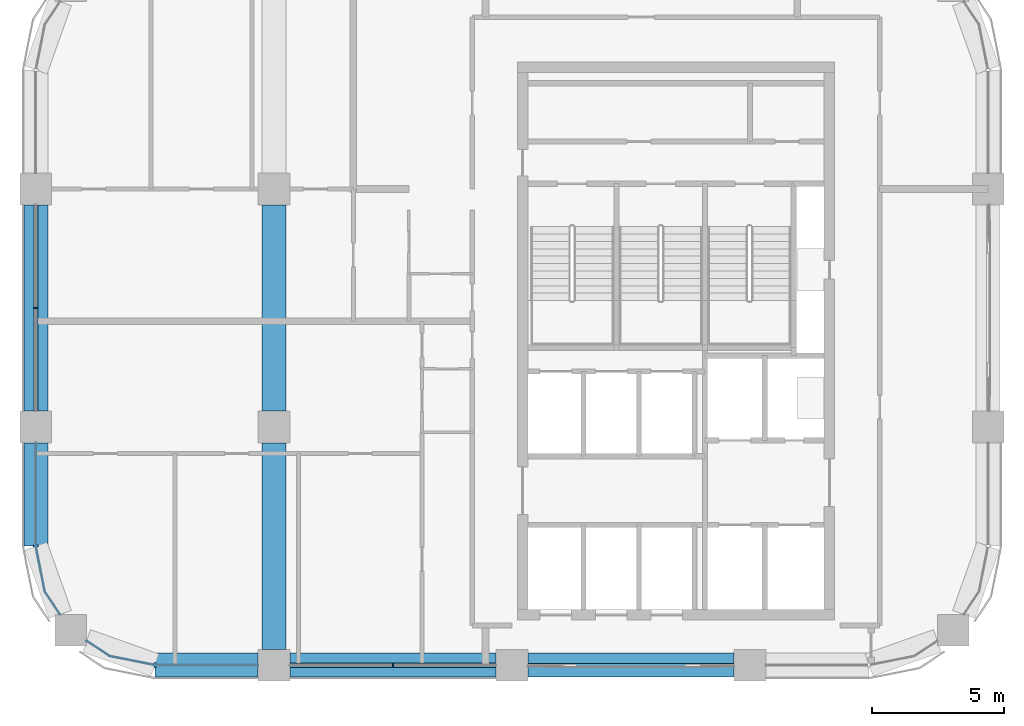
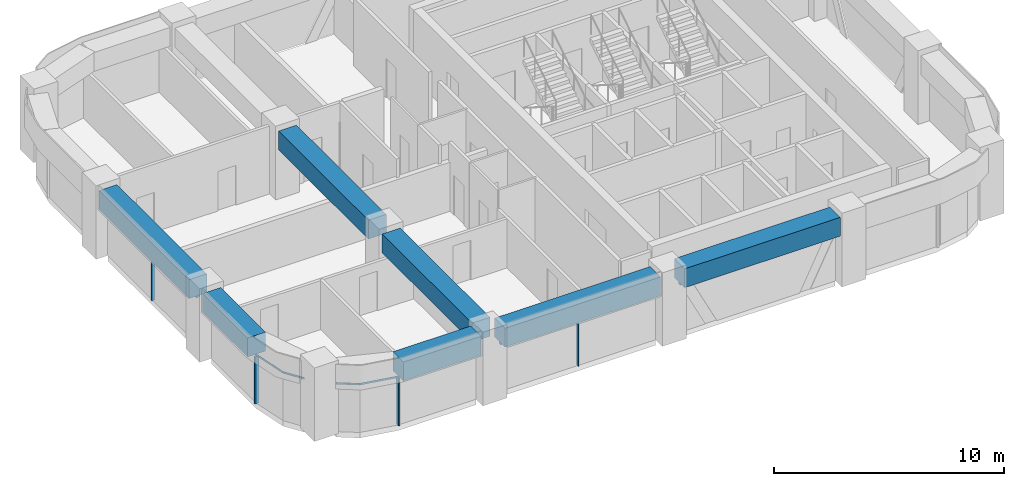
# One storey, part 2 of 9: 9 members, 7 beams, 5 elements without a shape of their own.
"""IFC4 building model written with IfcOpenShell, lengths in metres."""

import ifcopenshell
import ifcopenshell.guid

model = None  # the IFC model being written
_history = None  # IfcOwnerHistory: only IFC2X3 demands one
_inside = {}  # id of a spatial element -> (the spatial element, [elements in it])
_under = {}  # id of a project, library or spatial element -> (it, [spatial elements below it])
_declared = {}  # id of a project -> (the project, [libraries it declares])
_typed = {}  # id of a type object -> (the type object, [elements of that type])
_made_of = {}  # id of a material, layer set ... -> (it, [elements and type objects made of it])


def new_model(schema):
    """Start an empty IFC model of exactly this schema.

    Asked for "IFC4X3", IfcOpenShell would pick the latest addendum, in which some entities
    have other attributes; the version numbers below select the first issue.
    IFC2X3 requires an IfcOwnerHistory on every rooted entity: one is made here for all.
    """
    global model, _history
    if schema == "IFC4X3":
        model = ifcopenshell.file(schema_version=(4, 3, 0, 0))
    else:
        model = ifcopenshell.file(schema=schema)
    _inside.clear()
    _under.clear()
    _declared.clear()
    _typed.clear()
    _made_of.clear()
    _history = None
    if model.schema == "IFC2X3":
        org = make("IfcOrganization", Name="unknown")
        user = make(
            "IfcPersonAndOrganization",
            ThePerson=make("IfcPerson", FamilyName="unknown"),
            TheOrganization=org,
        )
        app = make(
            "IfcApplication",
            ApplicationDeveloper=org,
            Version="unknown",
            ApplicationFullName="unknown",
            ApplicationIdentifier="unknown",
        )
        _history = make(
            "IfcOwnerHistory",
            OwningUser=user,
            OwningApplication=app,
            ChangeAction="ADDED",
            CreationDate=0,
        )
    return model


def make(cls, **values):
    """One entity of the class cls with the attributes given. An attribute that is None is left unset."""
    return model.create_entity(
        cls, **{name: value for name, value in values.items() if value is not None}
    )


def rooted(cls, **values):
    """An entity with a GlobalId (a new one), such as an element, a storey or a relation."""
    return make(cls, GlobalId=ifcopenshell.guid.new(), OwnerHistory=_history, **values)


def si_unit(unit_type, name, prefix=None):
    """IfcSIUnit, for example si_unit("LENGTHUNIT", "METRE", prefix="MILLI")."""
    return make("IfcSIUnit", UnitType=unit_type, Prefix=prefix, Name=name)


def assignment(units):
    """IfcUnitAssignment: the units of a project."""
    return None if units is None else make("IfcUnitAssignment", Units=units)


def point(xyz):
    """IfcCartesianPoint."""
    return None if xyz is None else make("IfcCartesianPoint", Coordinates=xyz)


def direction(xyz):
    """IfcDirection."""
    return None if xyz is None else make("IfcDirection", DirectionRatios=xyz)


def frame(location, z_axis=None, x_axis=None):
    """IfcAxis2Placement3D, a coordinate frame: its origin and axes. An axis left out is left unset."""
    return make(
        "IfcAxis2Placement3D",
        Location=point(location),
        Axis=direction(z_axis),
        RefDirection=direction(x_axis),
    )


def frame_2d(location, x_axis=None):
    """IfcAxis2Placement2D, a coordinate frame in the plane: its origin and x axis."""
    return make(
        "IfcAxis2Placement2D", Location=point(location), RefDirection=direction(x_axis)
    )


def origin():
    """The frame at (0, 0, 0) with its axes left unset."""
    return frame((0.0, 0.0, 0.0))


def origin_2d():
    """The frame at (0, 0) in the plane with its x axis left unset."""
    return frame_2d((0.0, 0.0))


def place(relative_to, where):
    """IfcLocalPlacement: puts the frame where relative to a parent placement (None: the world)."""
    return make(
        "IfcLocalPlacement", PlacementRelTo=relative_to, RelativePlacement=where
    )


def context(
    kind, dimensions, precision=None, world=None, true_north=None, identifier=None
):
    """IfcGeometricRepresentationContext, for example the 3D "Model" context."""
    return make(
        "IfcGeometricRepresentationContext",
        ContextIdentifier=identifier,
        ContextType=kind,
        CoordinateSpaceDimension=dimensions,
        Precision=precision,
        WorldCoordinateSystem=world,
        TrueNorth=true_north,
    )


def subcontext(parent, identifier, kind, view, scale=None):
    """IfcGeometricRepresentationSubContext, for example "Body" below "Model"."""
    return make(
        "IfcGeometricRepresentationSubContext",
        ContextIdentifier=identifier,
        ContextType=kind,
        ParentContext=parent,
        TargetScale=scale,
        TargetView=view,
    )


def project(units=None, contexts=None):
    """IfcProject with its units and contexts."""
    return rooted(
        "IfcProject",
        Name="project",
        RepresentationContexts=contexts,
        UnitsInContext=assignment(units),
    )


def spatial(cls, under=None, at=None, **own):
    """A site, building, storey or space (cls), placed at a placement, below another one or the project."""
    s = rooted(cls, ObjectPlacement=at, **own)
    if under is not None:
        _under.setdefault(under.id(), (under, []))[1].append(s)
    return s


def polyline(points):
    """IfcPolyline through the points."""
    return make("IfcPolyline", Points=[point(p) for p in points])


def profile(cls, at=None, kind="AREA", **sizes):
    """A parametric profile (cls). Its sizes go by their IFC names, for example OverallWidth=200.0."""
    return make(cls, ProfileType=kind, Position=at, **sizes)


def rectangle(**sizes):
    """IfcRectangleProfileDef."""
    return profile("IfcRectangleProfileDef", **sizes)


def outline(outer, holes=None, kind="AREA"):
    """IfcArbitraryClosedProfileDef: a profile drawn as a closed curve; with holes, ...WithVoids."""
    if holes is None:
        return make("IfcArbitraryClosedProfileDef", ProfileType=kind, OuterCurve=outer)
    return make(
        "IfcArbitraryProfileDefWithVoids",
        ProfileType=kind,
        OuterCurve=outer,
        InnerCurves=holes,
    )


def extrude(swept, where, along, depth):
    """IfcExtrudedAreaSolid: the profile swept, set in the frame where, extruded along a direction by depth."""
    return make(
        "IfcExtrudedAreaSolid",
        SweptArea=swept,
        Position=where,
        ExtrudedDirection=direction(along),
        Depth=depth,
    )


def shape(context_of_items, identifier, shape_type, items):
    """IfcShapeRepresentation: the items that make up one representation, for example the "Body"."""
    return make(
        "IfcShapeRepresentation",
        ContextOfItems=context_of_items,
        RepresentationIdentifier=identifier,
        RepresentationType=shape_type,
        Items=items,
    )


def material(Name=None, Category=None):
    """IfcMaterial."""
    return make("IfcMaterial", Name=Name, Category=Category)


def material_profile(
    of_material, cross_section, Name=None, Category=None, Priority=None
):
    """IfcMaterialProfile: a cross section and its material."""
    return make(
        "IfcMaterialProfile",
        Name=Name,
        Material=of_material,
        Profile=cross_section,
        Priority=Priority,
        Category=Category,
    )


def profile_set(profiles, Name=None, composite=None):
    """IfcMaterialProfileSet."""
    return make(
        "IfcMaterialProfileSet",
        Name=Name,
        MaterialProfiles=profiles,
        CompositeProfile=composite,
    )


def made_of(thing, what):
    """Note that an element or type object is made of a material, layer set ...; save() writes the relation."""
    if what is not None:
        _made_of.setdefault(what.id(), (what, []))[1].append(thing)
    return thing


def type_object(cls, material=None, **own):
    """A type object (cls), such as IfcWallType, which elements share."""
    return made_of(rooted(cls, **own), material)


def element(
    cls,
    number,
    at=None,
    inside=None,
    cuts=None,
    type_object=None,
    material=None,
    context=None,
    identifier="Body",
    shape_type=None,
    held_by="IfcProductDefinitionShape",
    body=None,
    shapes=None,
    **own,
):
    """One element of the class cls, such as IfcWall. Its Tag is "e" and its number.

    at: its placement. inside: the storey or other place that contains it. cuts: it is an
    opening in that element (IfcRelVoidsElement). A single representation is given by context,
    identifier, shape_type and body (its items); several are given by shapes. held_by: the class
    of the entity that holds the representations. save() writes the other relations.
    """
    e = rooted(cls, Tag="e%d" % number, ObjectPlacement=at, **own)
    if body is not None:
        shapes = [shape(context, identifier, shape_type, body)]
    if shapes is not None:
        e.Representation = make(held_by, Representations=shapes)
    if inside is not None:
        _inside.setdefault(inside.id(), (inside, []))[1].append(e)
    if cuts is not None:
        rooted(
            "IfcRelVoidsElement", RelatingBuildingElement=cuts, RelatedOpeningElement=e
        )
    if type_object is not None:
        _typed.setdefault(type_object.id(), (type_object, []))[1].append(e)
    return made_of(e, material)


def aggregate(whole, parts):
    """IfcRelAggregates: a whole, such as a stair, and the parts it consists of."""
    return rooted("IfcRelAggregates", RelatingObject=whole, RelatedObjects=parts)


def save(model, path):
    """Write the relations noted so far, then the file.

    IfcRelAggregates (storeys below a building ...), IfcRelContainedInSpatialStructure (elements
    in a storey), IfcRelDefinesByType, IfcRelAssociatesMaterial and IfcRelDeclares: one each for
    every whole, place, type object, material and project.
    """
    for whole, parts in _under.values():
        aggregate(whole, parts)
    for where, things in _inside.values():
        rooted(
            "IfcRelContainedInSpatialStructure",
            RelatedElements=things,
            RelatingStructure=where,
        )
    for kind, things in _typed.values():
        rooted("IfcRelDefinesByType", RelatedObjects=things, RelatingType=kind)
    for what, things in _made_of.values():
        rooted("IfcRelAssociatesMaterial", RelatedObjects=things, RelatingMaterial=what)
    for by, libraries in _declared.values():
        rooted("IfcRelDeclares", RelatingContext=by, RelatedDefinitions=libraries)
    model.write(path)


model = new_model("IFC4")

# Units and contexts
model_context = context("Model", 3, precision=1e-05, world=origin(), true_north=direction((0.0, 1.0)))
body_context = subcontext(model_context, "Body", "Model", "MODEL_VIEW")
ifc_project = project(units=[si_unit("LENGTHUNIT", "METRE"), si_unit("AREAUNIT", "SQUARE_METRE"), si_unit("VOLUMEUNIT", "CUBIC_METRE"), si_unit("PLANEANGLEUNIT", "RADIAN"), si_unit("MASSUNIT", "GRAM", prefix="KILO")], contexts=[model_context])

# Site, building, storey
site_placement = place(None, origin())
site = spatial("IfcSite", under=ifc_project, at=site_placement, CompositionType="ELEMENT")
building_placement = place(site_placement, origin())
building = spatial("IfcBuilding", under=site, at=building_placement, Name="Tessera Arch", CompositionType="ELEMENT")
storey_placement = place(building_placement, frame((0.0, 0.0, 246.199951171875)))
storey = spatial("IfcBuildingStorey", under=building, at=storey_placement, Name="L59", CompositionType="ELEMENT", Elevation=246.199951171875)

# Curtain wall, member
ifc_material_1 = material(Name="CW1 curtain wall")
curtain_wall_type_1 = type_object("IfcCurtainWallType", Name="CW1 curtain wall", PredefinedType="NOTDEFINED", material=ifc_material_1)
curtain_wall_1_placement = place(storey_placement, origin())
curtain_wall_1 = element("IfcCurtainWall", 1, at=curtain_wall_1_placement, inside=storey, type_object=curtain_wall_type_1, Name="CW1 curtain wall W18.27/1 L59", PredefinedType="NOTDEFINED")
ifc_material_2 = material(Name="Anodised aluminium pale metal", Category="aluminium")
ifc_material_profile_1 = material_profile(ifc_material_2, rectangle(XDim=0.159912109375, YDim=0.06005859375, at=origin_2d()), Name="AL 60x160")
ifc_profile_set_1 = profile_set([ifc_material_profile_1], Name="Anodised aluminium pale metal")
member_type_1 = type_object("IfcMemberType", Name="CW1 mullion", PredefinedType="MULLION", material=ifc_profile_set_1)
member_1_placement = place(storey_placement, frame((18.0, 40.5, 0.0), z_axis=(0.0, 0.0, 1.0), x_axis=(1.0, 0.0, 0.0)))
member_1 = element("IfcMember", 2, at=member_1_placement, type_object=member_type_1, Name="CW1 mullion W18.27/1 1", PredefinedType="MULLION", context=body_context, shape_type="SweptSolid", body=[
    extrude(rectangle(XDim=0.159912109375, YDim=0.06005859375, at=origin_2d()), origin(), (0.0, 0.0, 1.0), 2.5),
])

curtain_wall_2_placement = place(storey_placement, origin())
curtain_wall_2 = element("IfcCurtainWall", 3, at=curtain_wall_2_placement, inside=storey, type_object=curtain_wall_type_1, Name="CW1 curtain wall S27.18/1 L59", PredefinedType="NOTDEFINED")
member_2_placement = place(storey_placement, frame((31.5, 27.0, 0.0), z_axis=(0.0, 0.0, 1.0), x_axis=(0.0, 1.0, 0.0)))
member_2 = element("IfcMember", 4, at=member_2_placement, type_object=member_type_1, Name="CW1 mullion S27.18/1 1", PredefinedType="MULLION", context=body_context, shape_type="SweptSolid", body=[
    extrude(rectangle(XDim=0.159912109375, YDim=0.06005859375, at=origin_2d()), origin(), (0.0, 0.0, 1.0), 2.5),
])

# Member
ifc_material_3 = material(Name="Anodised aluminium pale metal", Category="aluminium")
ifc_material_profile_2 = material_profile(ifc_material_3, rectangle(XDim=0.159912109375, YDim=0.10009765625, at=origin_2d()), Name="AL 160x100")
ifc_profile_set_2 = profile_set([ifc_material_profile_2], Name="Anodised aluminium pale metal")
member_type_2 = type_object("IfcMemberType", Name="CW1 transom", PredefinedType="USERDEFINED", material=ifc_profile_set_2)
member_3_placement = place(storey_placement, frame((18.0, 44.39990234375, 2.550048828125), z_axis=(0.0, -1.0, 0.0), x_axis=(1.0, 0.0, 0.0)))
member_3 = element("IfcMember", 5, at=member_3_placement, type_object=member_type_2, Name="CW1 transom W18.27/1 1.1", ObjectType="TRANSOM", PredefinedType="USERDEFINED", context=body_context, shape_type="SweptSolid", body=[
    extrude(rectangle(XDim=0.159912109375, YDim=0.10009765625, at=origin_2d()), origin(), (0.0, 0.0, 1.0), 7.7998046875),
])

aggregate(curtain_wall_1, [member_1, member_3])

member_4_placement = place(storey_placement, frame((27.60009765625, 27.0, 2.550048828125), z_axis=(1.0, 0.0, 0.0), x_axis=(0.0, 1.0, 0.0)))
member_4 = element("IfcMember", 6, at=member_4_placement, type_object=member_type_2, Name="CW1 transom S27.18/1 1.1", ObjectType="TRANSOM", PredefinedType="USERDEFINED", context=body_context, shape_type="SweptSolid", body=[
    extrude(rectangle(XDim=0.159912109375, YDim=0.10009765625, at=origin_2d()), origin(), (0.0, 0.0, 1.0), 7.7998046875),
])

aggregate(curtain_wall_2, [member_2, member_4])

# Curtain wall, member
ifc_material_4 = material(Name="CW2 curtain wall")
curtain_wall_type_2 = type_object("IfcCurtainWallType", Name="CW2 curtain wall", PredefinedType="NOTDEFINED", material=ifc_material_4)
curtain_wall_3_placement = place(storey_placement, origin())
curtain_wall_3 = element("IfcCurtainWall", 7, at=curtain_wall_3_placement, inside=storey, type_object=curtain_wall_type_2, Name="CW2 curtain wall W18.27/2 L59", PredefinedType="NOTDEFINED")
ifc_material_5 = material(Name="Anodised aluminium pale metal", Category="aluminium")
ifc_material_profile_3 = material_profile(ifc_material_5, rectangle(XDim=0.199951171875, YDim=0.080078125, at=origin_2d()), Name="AL 80x200")
ifc_profile_set_3 = profile_set([ifc_material_profile_3], Name="Anodised aluminium pale metal")
member_type_3 = type_object("IfcMemberType", Name="CW2 mullion", PredefinedType="MULLION", material=ifc_profile_set_3)
member_5_placement = place(storey_placement, frame((18.0, 31.5, 0.0), z_axis=(0.0, 0.0, 1.0), x_axis=(1.0, 0.0, 0.0)))
member_5 = element("IfcMember", 8, at=member_5_placement, type_object=member_type_3, Name="CW2 mullion W18.27/2 1", PredefinedType="MULLION", context=body_context, shape_type="SweptSolid", body=[
    extrude(rectangle(XDim=0.199951171875, YDim=0.080078125, at=origin_2d()), origin(), (0.0, 0.0, 1.0), 2.5),
])

curtain_wall_4_placement = place(storey_placement, origin())
curtain_wall_4 = element("IfcCurtainWall", 9, at=curtain_wall_4_placement, inside=storey, type_object=curtain_wall_type_2, Name="CW2 curtain wall S27.18/0 L59", PredefinedType="NOTDEFINED")
member_6_placement = place(storey_placement, frame((22.5, 27.0, 0.0), z_axis=(0.0, 0.0, 1.0), x_axis=(0.0, 1.0, 0.0)))
member_6 = element("IfcMember", 10, at=member_6_placement, type_object=member_type_3, Name="CW2 mullion S27.18/0 1", PredefinedType="MULLION", context=body_context, shape_type="SweptSolid", body=[
    extrude(rectangle(XDim=0.199951171875, YDim=0.080078125, at=origin_2d()), origin(), (0.0, 0.0, 1.0), 2.5),
])

# Member
ifc_material_6 = material(Name="Anodised aluminium pale metal", Category="aluminium")
ifc_material_profile_4 = material_profile(ifc_material_6, rectangle(XDim=0.199951171875, YDim=0.10009765625, at=origin_2d()), Name="AL 200x100")
ifc_profile_set_4 = profile_set([ifc_material_profile_4], Name="Anodised aluminium pale metal")
member_type_4 = type_object("IfcMemberType", Name="CW2 transom", PredefinedType="USERDEFINED", material=ifc_profile_set_4)
member_7_placement = place(storey_placement, frame((0.0, 0.0, 2.5)))
member_7 = element("IfcMember", 11, at=member_7_placement, type_object=member_type_4, Name="CW2 transom W18.27/2 1", ObjectType="TRANSOM", PredefinedType="USERDEFINED", context=body_context, shape_type="SweptSolid", body=[
    extrude(outline(polyline([(18.010009765625, 31.5009765625), (18.010009765625, 35.39990234375), (17.989990234375, 35.39990234375), (17.989990234375, 31.4990234375), (18.3330078125, 29.77392578125), (18.90869140625, 28.912353515625), (18.92529296875, 28.923583984375), (18.351806640625, 29.78173828125), (18.010009765625, 31.5009765625)])), origin(), (0.0, 0.0, 1.0), 0.10009765625),
])

aggregate(curtain_wall_3, [member_5, member_7])

member_8_placement = place(storey_placement, frame((0.0, 0.0, 2.5)))
member_8 = element("IfcMember", 12, at=member_8_placement, type_object=member_type_4, Name="CW2 transom S27.18/0 1", ObjectType="TRANSOM", PredefinedType="USERDEFINED", context=body_context, shape_type="SweptSolid", body=[
    extrude(outline(polyline([(20.78173828125, 27.351806640625), (19.923583984375, 27.92529296875), (19.912353515625, 27.90869140625), (20.77392578125, 27.3330078125), (22.4990234375, 26.989990234375), (26.39990234375, 26.989990234375), (26.39990234375, 27.010009765625), (22.5009765625, 27.010009765625), (20.78173828125, 27.351806640625)])), origin(), (0.0, 0.0, 1.0), 0.10009765625),
])

aggregate(curtain_wall_4, [member_6, member_8])

# Curtain wall, member
ifc_material_7 = material(Name="CW3 curtain wall")
curtain_wall_type_3 = type_object("IfcCurtainWallType", Name="CW3 curtain wall", PredefinedType="NOTDEFINED", material=ifc_material_7)
curtain_wall_5_placement = place(storey_placement, origin())
curtain_wall_5 = element("IfcCurtainWall", 13, at=curtain_wall_5_placement, inside=storey, type_object=curtain_wall_type_3, Name="CW3 curtain wall S27.18/2 L59", PredefinedType="NOTDEFINED")
ifc_material_8 = material(Name="Anodised aluminium pale metal", Category="aluminium")
ifc_material_profile_5 = material_profile(ifc_material_8, rectangle(XDim=0.139892578125, YDim=0.10009765625, at=origin_2d()), Name="AL 140x100")
ifc_profile_set_5 = profile_set([ifc_material_profile_5], Name="Anodised aluminium pale metal")
member_type_5 = type_object("IfcMemberType", Name="CW3 transom", PredefinedType="USERDEFINED", material=ifc_profile_set_5)
member_9_placement = place(storey_placement, frame((36.60009765625, 27.0, 2.550048828125), z_axis=(1.0, 0.0, 0.0), x_axis=(0.0, 1.0, 0.0)))
member_9 = element("IfcMember", 14, at=member_9_placement, type_object=member_type_5, Name="CW3 transom S27.18/2 1.1", ObjectType="TRANSOM", PredefinedType="USERDEFINED", context=body_context, shape_type="SweptSolid", body=[
    extrude(rectangle(XDim=0.139892578125, YDim=0.10009765625, at=origin_2d()), origin(), (0.0, 0.0, 1.0), 7.7998046875),
])
aggregate(curtain_wall_5, [member_9])

# Beams
ifc_material_9 = material(Name="Concrete C60/75", Category="concrete")
ifc_material_profile_6 = material_profile(ifc_material_9, rectangle(XDim=0.89990234375, YDim=1.0, at=origin_2d()), Name="RC spandrel beam 900 x 1000 Concrete C60/75")
ifc_profile_set_6 = profile_set([ifc_material_profile_6], Name="Concrete C60/75")
beam_type = type_object("IfcBeamType", Name="RC spandrel beam 900 x 1000 Concrete C60/75", PredefinedType="BEAM", material=ifc_profile_set_6)
beam_placement = place(storey_placement, frame((18.0, 44.39990234375, 3.10009765625), z_axis=(0.0, -1.0, 0.0), x_axis=(1.0, 0.0, 0.0)))
element("IfcBeam", 15, at=beam_placement, inside=storey, type_object=beam_type, Name="Spandrel beam L59 W18.27/1", PredefinedType="BEAM", context=body_context, shape_type="SweptSolid", body=[
    extrude(rectangle(XDim=0.89990234375, YDim=1.0, at=origin_2d()), origin(), (0.0, 0.0, 1.0), 7.7998046875),
])
for number, where, z_axis, x_axis, name in (
    (16, (18.0, 35.39990234375, 3.10009765625), (0.0, -1.0, 0.0), (1.0, 0.0, 0.0), "Spandrel beam L59 W18.27/2.1"),
    (17, (22.5, 27.0, 3.10009765625), (1.0, 0.0, 0.0), (0.0, 1.0, 0.0), "Spandrel beam L59 S27.18/0.2"),
):
    element("IfcBeam", number, at=place(storey_placement, frame(where, z_axis=z_axis, x_axis=x_axis)), inside=storey, type_object=beam_type, Name=name, PredefinedType="BEAM", context=body_context, shape_type="SweptSolid", body=[
        extrude(rectangle(XDim=0.89990234375, YDim=1.0, at=origin_2d()), origin(), (0.0, 0.0, 1.0), 3.89990234375),
    ])
for number, where, z_axis, x_axis, name in (
    (18, (27.60009765625, 27.0, 3.10009765625), (1.0, 0.0, 0.0), (0.0, 1.0, 0.0), "Spandrel beam L59 S27.18/1"),
    (19, (36.60009765625, 27.0, 3.10009765625), (1.0, 0.0, 0.0), (0.0, 1.0, 0.0), "Spandrel beam L59 S27.18/2"),
    (20, (27.0, 27.60009765625, 3.10009765625), (0.0, 1.0, 0.0), (-1.0, 0.0, 0.0), "Interface beam L59 I0C4D-C4E"),
    (21, (27.0, 36.60009765625, 3.10009765625), (0.0, 1.0, 0.0), (-1.0, 0.0, 0.0), "Interface beam L59 I0C4E-C4F"),
):
    element("IfcBeam", number, at=place(storey_placement, frame(where, z_axis=z_axis, x_axis=x_axis)), inside=storey, type_object=beam_type, Name=name, PredefinedType="BEAM", context=body_context, shape_type="SweptSolid", body=[
        extrude(rectangle(XDim=0.89990234375, YDim=1.0, at=origin_2d()), origin(), (0.0, 0.0, 1.0), 7.7998046875),
    ])

save(model, "model.ifc")
